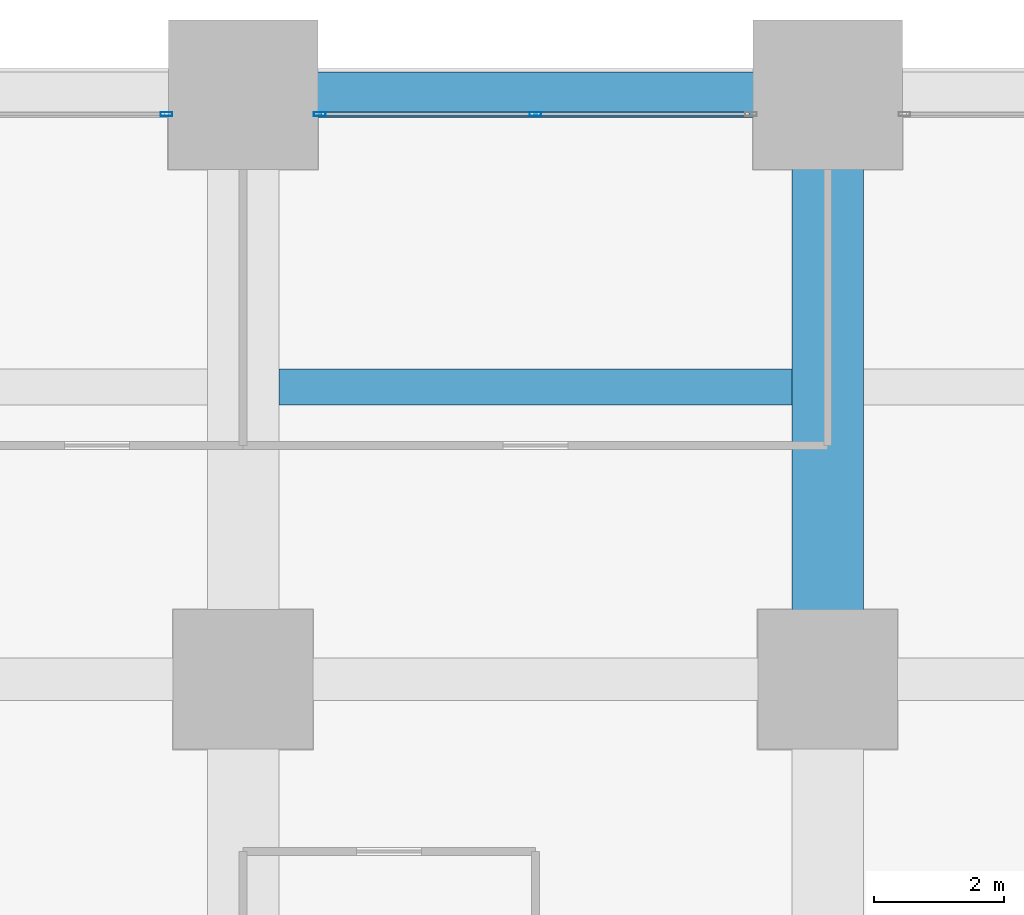
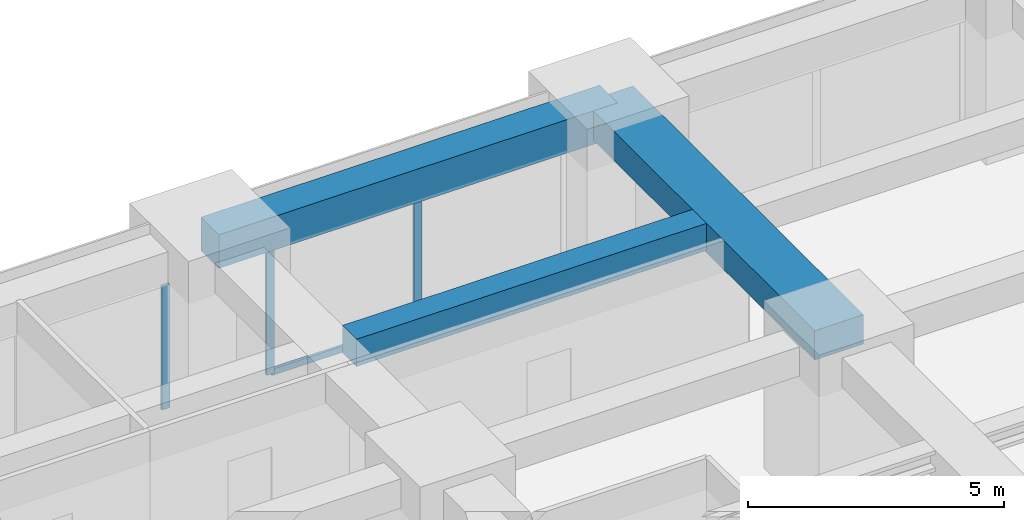
# One storey, part 29 of 44: 4 members, 3 beams, 2 elements without a shape of their own.
"""IFC4 building model written with IfcOpenShell, lengths in metres."""

from ifc_helpers import new_model, si_unit, direction, frame, origin, origin_2d, place, context, subcontext, project, spatial, rectangle, hollow_rectangle, extrude, material, material_profile, profile_set, type_object, element, aggregate, save


model = new_model("IFC4")

# Units and contexts
model_context = context("Model", 3, precision=1e-05, world=origin(), true_north=direction((0.0, 1.0)))
body_context = subcontext(model_context, "Body", "Model", "MODEL_VIEW")
ifc_project = project(units=[si_unit("LENGTHUNIT", "METRE"), si_unit("AREAUNIT", "SQUARE_METRE"), si_unit("VOLUMEUNIT", "CUBIC_METRE"), si_unit("PLANEANGLEUNIT", "RADIAN"), si_unit("MASSUNIT", "GRAM", prefix="KILO")], contexts=[model_context])

# Site, building, storey
site_placement = place(None, origin())
site = spatial("IfcSite", under=ifc_project, at=site_placement, CompositionType="ELEMENT")
building_placement = place(site_placement, origin())
building = spatial("IfcBuilding", under=site, at=building_placement, Name="Zorevar Civic Tower", CompositionType="ELEMENT")
storey_placement = place(building_placement, frame((0.0, 0.0, 55.800048828125)))
storey = spatial("IfcBuildingStorey", under=building, at=storey_placement, Name="L13", CompositionType="ELEMENT", Elevation=55.800048828125)

# Beams
ifc_material_1 = material(Name="Concrete C50/60", Category="concrete")
ifc_material_profile_1 = material_profile(ifc_material_1, rectangle(XDim=1.10009765625, YDim=0.699951171875, at=origin_2d()), Name="RC 1100x700")
ifc_profile_set_1 = profile_set([ifc_material_profile_1], Name="Concrete C50/60")
beam_type_1 = type_object("IfcBeamType", Name="Beam RC 1100x700", PredefinedType="BEAM", material=ifc_profile_set_1)
beam_1_placement = place(storey_placement, frame((27.0, 45.0, 3.39990234375), z_axis=(0.0, 1.0, 0.0), x_axis=(-1.0, 0.0, 0.0)))
element("IfcBeam", 1, at=beam_1_placement, inside=storey, type_object=beam_type_1, Name="Girder L14", PredefinedType="BEAM", context=body_context, shape_type="SweptSolid", body=[
    extrude(rectangle(XDim=1.10009765625, YDim=0.699951171875, at=origin_2d()), origin(), (0.0, 0.0, 1.0), 9.0),
])
ifc_material_2 = material(Name="Concrete C50/60", Category="concrete")
ifc_material_profile_2 = material_profile(ifc_material_2, rectangle(XDim=0.550048828125, YDim=0.64990234375, at=origin_2d()), Name="RC 550x650")
ifc_profile_set_2 = profile_set([ifc_material_profile_2], Name="Concrete C50/60")
beam_type_2 = type_object("IfcBeamType", Name="Beam RC 550x650", PredefinedType="BEAM", material=ifc_profile_set_2)
beam_2_placement = place(storey_placement, frame((18.550048828125, 49.5, 3.425048828125), z_axis=(1.0, 0.0, 0.0), x_axis=(0.0, 1.0, 0.0)))
element("IfcBeam", 2, at=beam_2_placement, inside=storey, type_object=beam_type_2, Name="Secondary beam L14", PredefinedType="BEAM", context=body_context, shape_type="SweptSolid", body=[
    extrude(rectangle(XDim=0.550048828125, YDim=0.64990234375, at=origin_2d()), origin(), (0.0, 0.0, 1.0), 7.89990234375),
])

# Curtain wall, member
ifc_material_3 = material(Name="Dark grey solar-control glass in black aluminium frame", Category="aluminium")
curtain_wall_type = type_object("IfcCurtainWallType", Name="Curtain wall CW2 low zone", PredefinedType="NOTDEFINED", material=ifc_material_3)
curtain_wall_1_placement = place(storey_placement, origin())
curtain_wall_1 = element("IfcCurtainWall", 3, at=curtain_wall_1_placement, inside=storey, type_object=curtain_wall_type, Name="CW2 L13", PredefinedType="NOTDEFINED")
ifc_material_4 = material(Name="Aluminium, black anodised", Category="aluminium")
ifc_material_profile_3 = material_profile(ifc_material_4, hollow_rectangle(XDim=0.06005859375, YDim=0.179931640625, WallThickness=0.00390625, at=origin_2d()), Name="AL 180x60x4")
ifc_profile_set_3 = profile_set([ifc_material_profile_3], Name="Aluminium, black anodised")
member_type_1 = type_object("IfcMemberType", Name="CW2 mullion AL 180x60x4", PredefinedType="MULLION", material=ifc_profile_set_3)
member_1_placement = place(storey_placement, frame((16.820068359375, 53.699951171875, 0.0), z_axis=(0.0, 0.0, 1.0), x_axis=(0.0, 1.0, 0.0)))
member_1 = element("IfcMember", 4, at=member_1_placement, type_object=member_type_1, Name="CW2 mullion 3", PredefinedType="MULLION", context=body_context, shape_type="SweptSolid", body=[
    extrude(hollow_rectangle(XDim=0.06005859375, YDim=0.179931640625, WallThickness=0.00390625, at=origin_2d()), origin(), (0.0, 0.0, 1.0), 2.949951171875),
])
aggregate(curtain_wall_1, [member_1])

# Curtain wall, members
curtain_wall_2_placement = place(storey_placement, origin())
curtain_wall_2 = element("IfcCurtainWall", 5, at=curtain_wall_2_placement, inside=storey, type_object=curtain_wall_type, Name="CW2 L13", PredefinedType="NOTDEFINED")
member_2_placement = place(storey_placement, frame((19.179931640625, 53.699951171875, 0.0), z_axis=(0.0, 0.0, 1.0), x_axis=(0.0, 1.0, 0.0)))
member_2 = element("IfcMember", 6, at=member_2_placement, type_object=member_type_1, Name="CW2 mullion 1", PredefinedType="MULLION", context=body_context, shape_type="SweptSolid", body=[
    extrude(hollow_rectangle(XDim=0.06005859375, YDim=0.179931640625, WallThickness=0.00390625, at=origin_2d()), origin(), (0.0, 0.0, 1.0), 2.949951171875),
])
member_3_placement = place(storey_placement, frame((22.5, 53.699951171875, 0.06005859375), z_axis=(0.0, 0.0, 1.0), x_axis=(0.0, 1.0, 0.0)))
member_3 = element("IfcMember", 7, at=member_3_placement, type_object=member_type_1, Name="CW2 mullion 2", PredefinedType="MULLION", context=body_context, shape_type="SweptSolid", body=[
    extrude(hollow_rectangle(XDim=0.06005859375, YDim=0.179931640625, WallThickness=0.00390625, at=origin_2d()), origin(), (0.0, 0.0, 1.0), 2.889892578125),
])
ifc_material_5 = material(Name="Aluminium, black anodised", Category="aluminium")
ifc_material_profile_4 = material_profile(ifc_material_5, hollow_rectangle(XDim=0.06005859375, YDim=0.14990234375, WallThickness=0.00390625, at=origin_2d()), Name="AL 150x60x4")
ifc_profile_set_4 = profile_set([ifc_material_profile_4], Name="Aluminium, black anodised")
member_type_2 = type_object("IfcMemberType", Name="CW2 transom AL 150x60x4", PredefinedType="USERDEFINED", material=ifc_profile_set_4)
member_4_placement = place(storey_placement, frame((19.2099609375, 53.699951171875, 0.030029296875), z_axis=(1.0, 0.0, 0.0), x_axis=(0.0, 1.0, 0.0)))
member_4 = element("IfcMember", 8, at=member_4_placement, type_object=member_type_2, Name="CW2 sill transom", ObjectType="TRANSOM", PredefinedType="USERDEFINED", context=body_context, shape_type="SweptSolid", body=[
    extrude(hollow_rectangle(XDim=0.06005859375, YDim=0.14990234375, WallThickness=0.00390625, at=origin_2d()), origin(), (0.0, 0.0, 1.0), 6.580078125),
])
aggregate(curtain_wall_2, [member_2, member_3, member_4])

# Beam
ifc_material_6 = material(Name="Concrete C50/60", Category="concrete")
ifc_material_profile_5 = material_profile(ifc_material_6, rectangle(XDim=0.699951171875, YDim=0.800048828125, at=origin_2d()), Name="RC 700x800")
ifc_profile_set_5 = profile_set([ifc_material_profile_5], Name="Concrete C50/60")
beam_type_3 = type_object("IfcBeamType", Name="Edge beam RC 700x800", PredefinedType="SPANDREL", material=ifc_profile_set_5)
beam_3_placement = place(storey_placement, frame((18.0, 54.0, 3.349853515625), z_axis=(1.0, 0.0, 0.0), x_axis=(0.0, 1.0, 0.0)))
element("IfcBeam", 9, at=beam_3_placement, inside=storey, type_object=beam_type_3, Name="Edge beam L14", PredefinedType="SPANDREL", context=body_context, shape_type="SweptSolid", body=[
    extrude(rectangle(XDim=0.699951171875, YDim=0.800048828125, at=origin_2d()), origin(), (0.0, 0.0, 1.0), 9.0),
])

save(model, "model.ifc")
